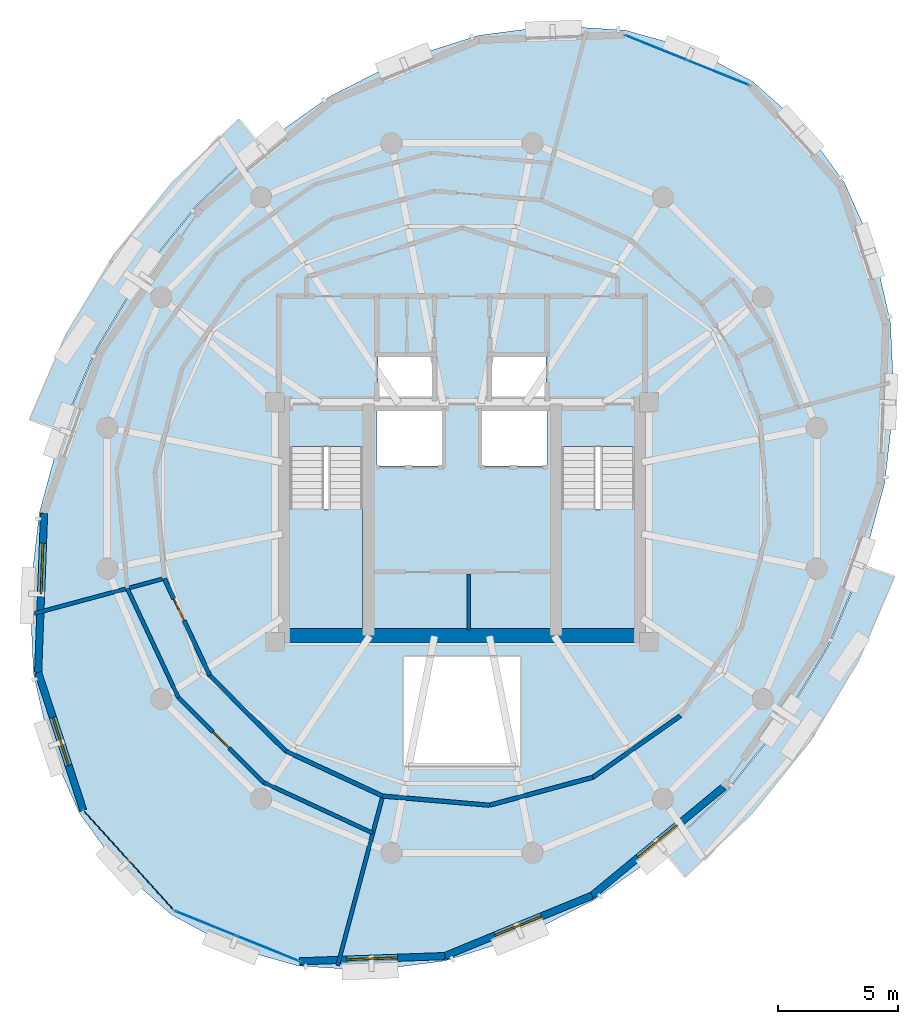
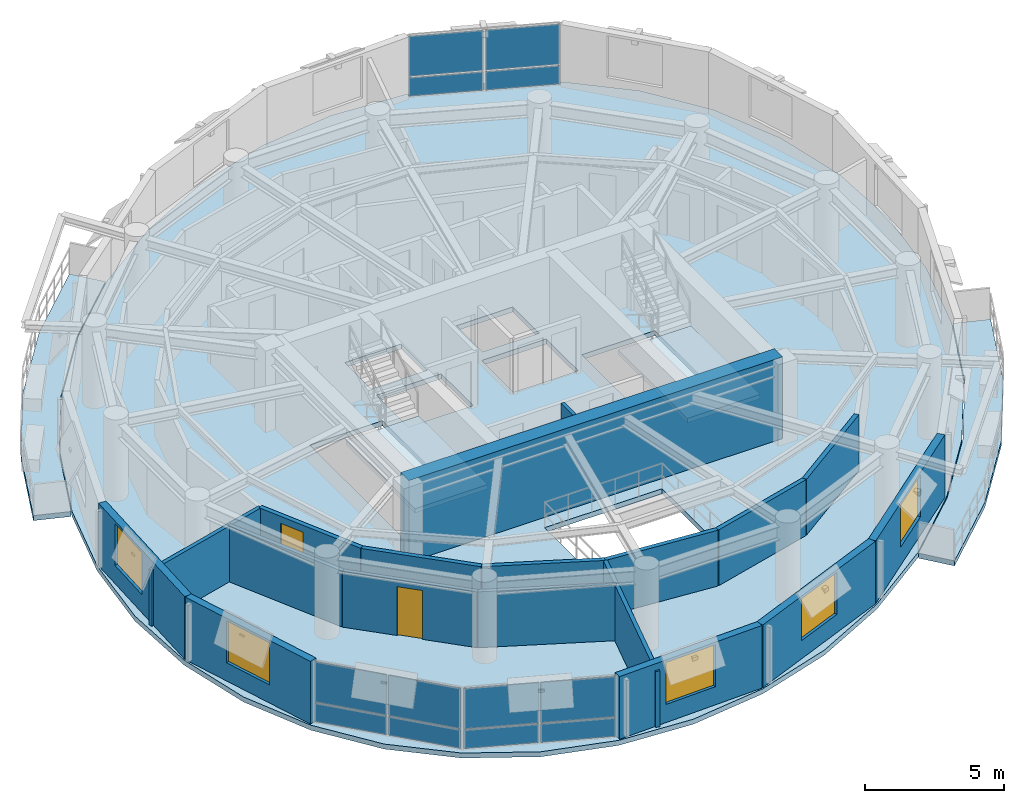
# One storey, part 6 of 11: 18 walls, 12 plates, 5 slabs, 5 windows, 2 doors, 7 openings, 5 elements without a shape of their own.
"""IFC4 building model written with IfcOpenShell, lengths in metres."""

from ifc_helpers import new_model, si_unit, direction, frame, frame_2d, origin, origin_2d, place, context, subcontext, project, spatial, polyline, rectangle, outline, extrude, material, layer, layer_set, type_object, element, fill, aggregate, save


model = new_model("IFC4")

# Units and contexts
model_context = context("Model", 3, precision=1e-05, world=origin(), true_north=direction((0.0, 1.0)))
body_context = subcontext(model_context, "Body", "Model", "MODEL_VIEW")
ifc_project = project(units=[si_unit("LENGTHUNIT", "METRE"), si_unit("AREAUNIT", "SQUARE_METRE"), si_unit("VOLUMEUNIT", "CUBIC_METRE"), si_unit("PLANEANGLEUNIT", "RADIAN"), si_unit("MASSUNIT", "GRAM", prefix="KILO"), si_unit("THERMODYNAMICTEMPERATUREUNIT", "KELVIN"), si_unit("POWERUNIT", "WATT")], contexts=[model_context])

# Site, building, storey
site_placement = place(None, origin())
site = spatial("IfcSite", under=ifc_project, at=site_placement, CompositionType="ELEMENT")
building_placement = place(site_placement, origin())
building = spatial("IfcBuilding", under=site, at=building_placement, Name="Ocrelia Relay Tower", CompositionType="ELEMENT")
storey_placement = place(building_placement, frame((0.0, 0.0, 259.199951171875)))
storey = spatial("IfcBuildingStorey", under=building, at=storey_placement, Name="L64", CompositionType="ELEMENT", Elevation=259.199951171875)

# Curtain wall, plates
ifc_material_1 = material(Name="Aluminium and solar-control low-E glass", Category="aluminium")
ifc_layer_1 = layer(ifc_material_1, 0.179931640625, Name="Aluminium and solar-control low-E glass")
ifc_layer_set_1 = layer_set([ifc_layer_1], Name="Aluminium and solar-control low-E glass")
curtain_wall_type = type_object("IfcCurtainWallType", Name="CW-SYS-Z4-EXEC", PredefinedType="NOTDEFINED", material=ifc_layer_set_1)
curtain_wall_1_placement = place(storey_placement, origin())
curtain_wall_1 = element("IfcCurtainWall", 1, at=curtain_wall_1_placement, inside=storey, type_object=curtain_wall_type, Name="L64 Elliptical Tower Curtain Wall Bay 01", PredefinedType="NOTDEFINED")
ifc_material_2 = material(Name="Clear double-glazed low-E glass", Category="glass")
ifc_layer_2 = layer(ifc_material_2, 0.031982421875, Name="Clear double-glazed low-E glass")
ifc_layer_set_2 = layer_set([ifc_layer_2], Name="Clear double-glazed low-E glass")
plate_type = type_object("IfcPlateType", Name="CW-SYS-Z4-EXEC-PNL", PredefinedType="CURTAIN_PANEL", material=ifc_layer_set_2)
plate_1_placement = place(storey_placement, frame((44.68994140625, 43.75732421875, 0.06005859375), z_axis=(0.0, 0.0, 1.0), x_axis=(-0.927528967544, 0.373751273397, 0.0)))
plate_1 = element("IfcPlate", 2, at=plate_1_placement, type_object=plate_type, Name="CW-Z4 panel 1.1", PredefinedType="CURTAIN_PANEL", context=body_context, shape_type="SweptSolid", body=[
    extrude(rectangle(XDim=2.7275390625, YDim=0.031982421875, at=origin_2d()), origin(), (0.0, 0.0, 1.0), 0.81005859375),
])
plate_2_placement = place(storey_placement, frame((44.68994140625, 43.75732421875, 0.929931640625), z_axis=(0.0, 0.0, 1.0), x_axis=(-0.927528967544, 0.373751273397, 0.0)))
plate_2 = element("IfcPlate", 3, at=plate_2_placement, type_object=plate_type, Name="CW-Z4 panel 1.2", PredefinedType="CURTAIN_PANEL", context=body_context, shape_type="SweptSolid", body=[
    extrude(rectangle(XDim=2.7275390625, YDim=0.031982421875, at=origin_2d()), origin(), (0.0, 0.0, 1.0), 1.77001953125),
])
plate_3_placement = place(storey_placement, frame((42.099609375, 44.801025390625, 0.06005859375), z_axis=(0.0, 0.0, 1.0), x_axis=(-0.927528967544, 0.373751273397, 0.0)))
plate_3 = element("IfcPlate", 4, at=plate_3_placement, type_object=plate_type, Name="CW-Z4 panel 2.1", PredefinedType="CURTAIN_PANEL", context=body_context, shape_type="SweptSolid", body=[
    extrude(rectangle(XDim=2.7275390625, YDim=0.031982421875, at=origin_2d()), origin(), (0.0, 0.0, 1.0), 0.81005859375),
])
plate_4_placement = place(storey_placement, frame((42.099609375, 44.801025390625, 0.929931640625), z_axis=(0.0, 0.0, 1.0), x_axis=(-0.927528967544, 0.373751273397, 0.0)))
plate_4 = element("IfcPlate", 5, at=plate_4_placement, type_object=plate_type, Name="CW-Z4 panel 2.2", PredefinedType="CURTAIN_PANEL", context=body_context, shape_type="SweptSolid", body=[
    extrude(rectangle(XDim=2.7275390625, YDim=0.031982421875, at=origin_2d()), origin(), (0.0, 0.0, 1.0), 1.77001953125),
])
aggregate(curtain_wall_1, [plate_1, plate_2, plate_3, plate_4])

curtain_wall_2_placement = place(storey_placement, origin())
curtain_wall_2 = element("IfcCurtainWall", 6, at=curtain_wall_2_placement, inside=storey, type_object=curtain_wall_type, Name="L64 Elliptical Tower Curtain Wall Bay 09", PredefinedType="NOTDEFINED")
plate_5_placement = place(storey_placement, frame((19.152099609375, 11.90673828125, 0.06005859375), z_axis=(0.0, 0.0, 1.0), x_axis=(0.671046778202, -0.741415012975, 0.0)))
plate_5 = element("IfcPlate", 7, at=plate_5_placement, type_object=plate_type, Name="CW-Z4 panel 1.1", PredefinedType="CURTAIN_PANEL", context=body_context, shape_type="SweptSolid", body=[
    extrude(rectangle(XDim=2.7275390625, YDim=0.031982421875, at=origin_2d()), origin(), (0.0, 0.0, 1.0), 0.81005859375),
])
plate_6_placement = place(storey_placement, frame((19.152099609375, 11.90673828125, 0.929931640625), z_axis=(0.0, 0.0, 1.0), x_axis=(0.671046778202, -0.741415012975, 0.0)))
plate_6 = element("IfcPlate", 8, at=plate_6_placement, type_object=plate_type, Name="CW-Z4 panel 1.2", PredefinedType="CURTAIN_PANEL", context=body_context, shape_type="SweptSolid", body=[
    extrude(rectangle(XDim=2.7275390625, YDim=0.031982421875, at=origin_2d()), origin(), (0.0, 0.0, 1.0), 1.77001953125),
])
plate_7_placement = place(storey_placement, frame((21.026123046875, 9.836181640625, 0.06005859375), z_axis=(0.0, 0.0, 1.0), x_axis=(0.671046778202, -0.741415012975, 0.0)))
plate_7 = element("IfcPlate", 9, at=plate_7_placement, type_object=plate_type, Name="CW-Z4 panel 2.1", PredefinedType="CURTAIN_PANEL", context=body_context, shape_type="SweptSolid", body=[
    extrude(rectangle(XDim=2.7275390625, YDim=0.031982421875, at=origin_2d()), origin(), (0.0, 0.0, 1.0), 0.81005859375),
])
plate_8_placement = place(storey_placement, frame((21.026123046875, 9.836181640625, 0.929931640625), z_axis=(0.0, 0.0, 1.0), x_axis=(0.671046778202, -0.741415012975, 0.0)))
plate_8 = element("IfcPlate", 10, at=plate_8_placement, type_object=plate_type, Name="CW-Z4 panel 2.2", PredefinedType="CURTAIN_PANEL", context=body_context, shape_type="SweptSolid", body=[
    extrude(rectangle(XDim=2.7275390625, YDim=0.031982421875, at=origin_2d()), origin(), (0.0, 0.0, 1.0), 1.77001953125),
])
aggregate(curtain_wall_2, [plate_5, plate_6, plate_7, plate_8])

curtain_wall_3_placement = place(storey_placement, origin())
curtain_wall_3 = element("IfcCurtainWall", 11, at=curtain_wall_3_placement, inside=storey, type_object=curtain_wall_type, Name="L64 Elliptical Tower Curtain Wall Bay 10", PredefinedType="NOTDEFINED")
plate_9_placement = place(storey_placement, frame((23.31005859375, 8.24267578125, 0.06005859375), z_axis=(0.0, 0.0, 1.0), x_axis=(0.927528967544, -0.373751273397, 0.0)))
plate_9 = element("IfcPlate", 12, at=plate_9_placement, type_object=plate_type, Name="CW-Z4 panel 1.1", PredefinedType="CURTAIN_PANEL", context=body_context, shape_type="SweptSolid", body=[
    extrude(rectangle(XDim=2.7275390625, YDim=0.031982421875, at=origin_2d()), origin(), (0.0, 0.0, 1.0), 0.81005859375),
])
plate_10_placement = place(storey_placement, frame((23.31005859375, 8.24267578125, 0.929931640625), z_axis=(0.0, 0.0, 1.0), x_axis=(0.927528967544, -0.373751273397, 0.0)))
plate_10 = element("IfcPlate", 13, at=plate_10_placement, type_object=plate_type, Name="CW-Z4 panel 1.2", PredefinedType="CURTAIN_PANEL", context=body_context, shape_type="SweptSolid", body=[
    extrude(rectangle(XDim=2.7275390625, YDim=0.031982421875, at=origin_2d()), origin(), (0.0, 0.0, 1.0), 1.77001953125),
])
plate_11_placement = place(storey_placement, frame((25.900390625, 7.198974609375, 0.06005859375), z_axis=(0.0, 0.0, 1.0), x_axis=(0.927528967544, -0.373751273397, 0.0)))
plate_11 = element("IfcPlate", 14, at=plate_11_placement, type_object=plate_type, Name="CW-Z4 panel 2.1", PredefinedType="CURTAIN_PANEL", context=body_context, shape_type="SweptSolid", body=[
    extrude(rectangle(XDim=2.7275390625, YDim=0.031982421875, at=origin_2d()), origin(), (0.0, 0.0, 1.0), 0.81005859375),
])
plate_12_placement = place(storey_placement, frame((25.900390625, 7.198974609375, 0.929931640625), z_axis=(0.0, 0.0, 1.0), x_axis=(0.927528967544, -0.373751273397, 0.0)))
plate_12 = element("IfcPlate", 15, at=plate_12_placement, type_object=plate_type, Name="CW-Z4 panel 2.2", PredefinedType="CURTAIN_PANEL", context=body_context, shape_type="SweptSolid", body=[
    extrude(rectangle(XDim=2.7275390625, YDim=0.031982421875, at=origin_2d()), origin(), (0.0, 0.0, 1.0), 1.77001953125),
])
aggregate(curtain_wall_3, [plate_9, plate_10, plate_11, plate_12])

# Slabs
ifc_material_3 = material(Name="Precast concrete C40/50", Category="concrete")
ifc_layer_3 = layer(ifc_material_3, 0.219970703125, Name="Precast concrete C40/50")
ifc_layer_set_3 = layer_set([ifc_layer_3], Name="Precast concrete C40/50")
slab_type_1 = type_object("IfcSlabType", Name="SL-BALC-220", PredefinedType="FLOOR", material=ifc_layer_set_3)
slab_1_placement = place(storey_placement, frame((0.0, 0.0, -0.219970703125)))
element("IfcSlab", 16, at=slab_1_placement, inside=storey, type_object=slab_type_1, Name="L64 Planted Loggia Balcony B1", PredefinedType="FLOOR", context=body_context, shape_type="SweptSolid", body=[
    extrude(outline(polyline([(25.567138671875, 40.7333984375), (24.242919921875, 39.478759765625), (22.918701171875, 38.22412109375), (20.606689453125, 35.34326171875), (18.70166015625, 32.1787109375), (17.981201171875, 30.502685546875), (17.2607421875, 28.82666015625), (15.945068359375, 29.285400390625), (16.70361328125, 31.050048828125), (17.4619140625, 32.814697265625), (19.464111328125, 36.140380859375), (21.89404296875, 39.167724609375), (23.2880859375, 40.489013671875), (24.682373046875, 41.81005859375), (25.567138671875, 40.7333984375)])), origin(), (0.0, 0.0, 1.0), 0.219970703125),
])
slab_2_placement = place(storey_placement, frame((0.0, 0.0, -0.219970703125)))
element("IfcSlab", 17, at=slab_2_placement, inside=storey, type_object=slab_type_1, Name="L64 Planted Loggia Balcony B2", PredefinedType="FLOOR", context=body_context, shape_type="SweptSolid", body=[
    extrude(outline(polyline([(42.432861328125, 11.2666015625), (43.757080078125, 12.521240234375), (45.081298828125, 13.77587890625), (47.393310546875, 16.65673828125), (49.29833984375, 19.8212890625), (50.018798828125, 21.497314453125), (50.7392578125, 23.17333984375), (52.054931640625, 22.714599609375), (51.29638671875, 20.949951171875), (50.5380859375, 19.185302734375), (48.535888671875, 15.859619140625), (46.10595703125, 12.832275390625), (44.7119140625, 11.510986328125), (43.317626953125, 10.18994140625), (42.432861328125, 11.2666015625)])), origin(), (0.0, 0.0, 1.0), 0.219970703125),
])
ifc_material_4 = material(Name="Concrete C50/60", Category="concrete")
ifc_layer_4 = layer(ifc_material_4, 0.219970703125, Name="Concrete C50/60")
ifc_layer_set_4 = layer_set([ifc_layer_4], Name="Concrete C50/60")
slab_type_2 = type_object("IfcSlabType", Name="SL-FLR-220", PredefinedType="FLOOR", material=ifc_layer_set_4)
slab_3_placement = place(storey_placement, frame((0.0, 0.0, -0.219970703125)))
element("IfcSlab", 18, at=slab_3_placement, inside=storey, type_object=slab_type_2, Name="L64 Elliptical Tower Floor Slab", PredefinedType="FLOOR", context=body_context, shape_type="SweptSolid", body=[
    extrude(outline(polyline([(46.12939453125, 43.38720703125), (43.623779296875, 44.742431640625), (40.82568359375, 45.5283203125), (37.8203125, 45.720703125), (34.698486328125, 45.31396484375), (31.555908203125, 44.3203125), (28.4873046875, 42.77001953125), (25.586181640625, 40.710205078125), (22.94091796875, 38.20361328125), (20.631591796875, 35.325927734375), (18.728515625, 32.1650390625), (17.289306640625, 28.81689453125), (16.35791015625, 25.3828125), (15.96240234375, 21.9677734375), (16.115234375, 18.67529296875), (16.811279296875, 15.605224609375), (18.02978515625, 12.85107421875), (19.7333984375, 10.496337890625), (21.87060546875, 8.61279296875), (24.376220703125, 7.257568359375), (27.17431640625, 6.4716796875), (30.1796875, 6.279296875), (33.301513671875, 6.68603515625), (36.444091796875, 7.6796875), (39.5126953125, 9.22998046875), (42.413818359375, 11.289794921875), (45.05908203125, 13.79638671875), (47.368408203125, 16.674072265625), (49.271484375, 19.8349609375), (50.710693359375, 23.18310546875), (51.64208984375, 26.6171875), (52.03759765625, 30.0322265625), (51.884765625, 33.32470703125), (51.188720703125, 36.394775390625), (49.97021484375, 39.14892578125), (48.2666015625, 41.503662109375), (46.12939453125, 43.38720703125)]), holes=[polyline([(26.81005859375, 28.14990234375), (26.81005859375, 20.550048828125), (29.85009765625, 20.550048828125), (29.85009765625, 28.14990234375), (26.81005859375, 28.14990234375)]), polyline([(38.159912109375, 28.14990234375), (38.159912109375, 20.550048828125), (41.199951171875, 20.550048828125), (41.199951171875, 28.14990234375), (38.159912109375, 28.14990234375)]), polyline([(30.4599609375, 27.35009765625), (33.159912109375, 27.35009765625), (33.159912109375, 29.64990234375), (30.4599609375, 29.64990234375), (30.4599609375, 27.35009765625)]), polyline([(34.840087890625, 27.35009765625), (37.5400390625, 27.35009765625), (37.5400390625, 29.64990234375), (34.840087890625, 29.64990234375), (34.840087890625, 27.35009765625)]), polyline([(30.5, 30.10009765625), (32.85009765625, 30.10009765625), (32.85009765625, 32.0), (30.5, 32.0), (30.5, 30.10009765625)]), polyline([(35.14990234375, 30.10009765625), (37.5, 30.10009765625), (37.5, 32.0), (35.14990234375, 32.0), (35.14990234375, 30.10009765625)]), polyline([(31.550048828125, 14.800048828125), (36.449951171875, 14.800048828125), (36.449951171875, 19.39990234375), (31.550048828125, 19.39990234375), (31.550048828125, 14.800048828125)])]), origin(), (0.0, 0.0, 1.0), 0.219970703125),
])

# Stair, slab
stair_type = type_object("IfcStairType", Name="ST-DL-1420-R180", PredefinedType="HALF_TURN_STAIR", material=ifc_material_4)
stair_1_placement = place(storey_placement, origin())
stair_1 = element("IfcStair", 19, at=stair_1_placement, inside=storey, type_object=stair_type, Name="L64 West Core Exit Stair ST1", PredefinedType="HALF_TURN_STAIR")
ifc_layer_5 = layer(ifc_material_4, 0.199951171875, Name="Concrete C50/60")
ifc_layer_set_5 = layer_set([ifc_layer_5], Name="Concrete C50/60")
slab_type_3 = type_object("IfcSlabType", Name="SL-LANDING-200", PredefinedType="LANDING", material=ifc_layer_set_5)
slab_4_placement = place(storey_placement, frame((0.0, 0.0, 1.60009765625)))
slab_4 = element("IfcSlab", 20, at=slab_4_placement, type_object=slab_type_3, Name="ST1 landing 1", PredefinedType="LANDING", context=body_context, shape_type="SweptSolid", body=[
    extrude(outline(polyline([(26.81005859375, 25.5400390625), (26.81005859375, 20.550048828125), (29.85009765625, 20.550048828125), (29.85009765625, 25.5400390625), (26.81005859375, 25.5400390625)])), origin(), (0.0, 0.0, 1.0), 0.199951171875),
])
aggregate(stair_1, [slab_4])

stair_2_placement = place(storey_placement, origin())
stair_2 = element("IfcStair", 21, at=stair_2_placement, inside=storey, type_object=stair_type, Name="L64 East Core Exit Stair ST2", PredefinedType="HALF_TURN_STAIR")
slab_5_placement = place(storey_placement, frame((0.0, 0.0, 1.60009765625)))
slab_5 = element("IfcSlab", 22, at=slab_5_placement, type_object=slab_type_3, Name="ST2 landing 1", PredefinedType="LANDING", context=body_context, shape_type="SweptSolid", body=[
    extrude(outline(polyline([(38.159912109375, 25.5400390625), (38.159912109375, 20.550048828125), (41.199951171875, 20.550048828125), (41.199951171875, 25.5400390625), (38.159912109375, 25.5400390625)])), origin(), (0.0, 0.0, 1.0), 0.199951171875),
])
aggregate(stair_2, [slab_5])

# Wall
ifc_layer_6 = layer(ifc_material_4, 0.60009765625, Name="Concrete C50/60")
ifc_layer_set_6 = layer_set([ifc_layer_6], Name="Concrete C50/60")
wall_type_1 = type_object("IfcWallType", Name="CW-CORE-600B", PredefinedType="SHEAR", material=ifc_layer_set_6)
wall_1_placement = place(storey_placement, frame((26.221923828125, 20.261962890625, 0.0), z_axis=(0.0, 0.0, 1.0), x_axis=(1.0, 0.0, 0.0)))
element("IfcWall", 23, at=wall_1_placement, inside=storey, type_object=wall_type_1, Name="L64 Core Shear Wall S", PredefinedType="SHEAR", context=body_context, shape_type="SweptSolid", body=[
    extrude(rectangle(XDim=15.566162109375, YDim=0.60009765625, at=frame_2d((7.783203125, 0.0))), origin(), (0.0, 0.0, 1.0), 3.60009765625),
])

# Wall, opening, door
ifc_material_5 = material(Name="Gypsum Fireboard Partition EI60", Category="gypsum")
ifc_layer_7 = layer(ifc_material_5, 0.179931640625, Name="Gypsum Fireboard Partition EI60")
ifc_layer_set_7 = layer_set([ifc_layer_7], Name="Gypsum Fireboard Partition EI60")
wall_type_2 = type_object("IfcWallType", Name="W-CORR-EI60-180", PredefinedType="PARTITIONING", material=ifc_layer_set_7)
wall_2_placement = place(storey_placement, frame((21.574462890625, 22.647216796875, 0.0), z_axis=(0.0, 0.0, 1.0), x_axis=(0.424191758999, -0.905572388933, 0.0)))
wall_2 = element("IfcWall", 24, at=wall_2_placement, inside=storey, type_object=wall_type_2, Name="L64 Diplomatic Sitting Salon Corridor Partition 1", PredefinedType="PARTITIONING", context=body_context, shape_type="SweptSolid", body=[
    extrude(rectangle(XDim=4.4697265625, YDim=0.179931640625, at=frame_2d((2.23486328125, 0.0))), origin(), (0.0, 0.0, 1.0), 2.4599609375),
])
opening_1_placement = place(wall_2_placement, frame((0.9423828125, 0.0, 0.0)))
opening_1 = element("IfcOpeningElement", 25, at=opening_1_placement, cuts=wall_2, Name="Opening D-RM100", PredefinedType="OPENING", context=body_context, shape_type="SweptSolid", body=[
    extrude(rectangle(XDim=1.0, YDim=2.14990234375, at=frame_2d((0.5, 1.074951171875))), frame((0.0, 0.10009765625, 0.0), z_axis=(0.0, -1.0, 0.0), x_axis=(1.0, 0.0, 0.0)), (0.0, 0.0, 1.0), 0.199951171875),
])
ifc_material_6 = material(Name="Acoustic oak veneer fire door", Category="wood")
door_type_1 = type_object("IfcDoorType", Name="DR-ROOM-FD60-1000", OperationType="NOTDEFINED", PredefinedType="DOOR", material=ifc_material_6)
door_1_placement = place(opening_1_placement, origin())
door_1 = element("IfcDoor", 26, at=door_1_placement, inside=storey, type_object=door_type_1, Name="L64 Diplomatic Sitting Salon Entrance Door", OperationType="SINGLE_SWING_RIGHT", OverallHeight=2.14990234375, OverallWidth=1.0, PredefinedType="DOOR", context=body_context, shape_type="SweptSolid", body=[
    extrude(rectangle(XDim=1.0, YDim=2.14990234375, at=frame_2d((0.5, 1.074951171875))), frame((0.0, 0.02490234375, 0.0), z_axis=(0.0, -1.0, 0.0), x_axis=(1.0, 0.0, 0.0)), (0.0, 0.0, 1.0), 0.050048828125),
])
fill(opening_1, door_1)

# Walls
for number, where, z_axis, x_axis, name in (
    (27, (23.470458984375, 18.599609375, 0.0), (0.0, 0.0, 1.0), (0.708334702273, -0.70587672405, 0.0), "L64 Diplomatic Sitting Salon Corridor Partition 2"),
    (28, (26.636474609375, 15.444580078125, 0.0), (0.0, 0.0, 1.0), (0.907049199166, -0.421024643332, 0.0), "L64 Diplomatic Sitting Salon Corridor Partition 3"),
    (29, (30.690673828125, 13.562744140625, 0.0), (0.0, 0.0, 1.0), (0.996344391256, -0.085427478095, 0.0), "L64 Fellows Quiet Study Corridor Partition 1"),
    (30, (35.14404296875, 13.180908203125, 0.0), (0.0, 0.0, 1.0), (0.965477450323, 0.260486646333, 0.0), "L64 Fellows Quiet Study Corridor Partition 2"),
):
    element("IfcWall", number, at=place(storey_placement, frame(where, z_axis=z_axis, x_axis=x_axis)), inside=storey, type_object=wall_type_2, Name=name, PredefinedType="PARTITIONING", context=body_context, shape_type="SweptSolid", body=[
        extrude(rectangle(XDim=4.4697265625, YDim=0.179931640625, at=frame_2d((2.23486328125, 0.0))), origin(), (0.0, 0.0, 1.0), 2.4599609375),
    ])
wall_3_placement = place(storey_placement, frame((39.45947265625, 14.34521484375, 0.0), z_axis=(0.0, 0.0, 1.0), x_axis=(0.818142386299, 0.57501568304, 0.0)))
element("IfcWall", 31, at=wall_3_placement, inside=storey, type_object=wall_type_2, Name="L64 Fellows Quiet Study Corridor Partition 3", PredefinedType="PARTITIONING", context=body_context, shape_type="SweptSolid", body=[
    extrude(rectangle(XDim=4.469482421875, YDim=0.179931640625, at=frame_2d((2.23486328125, 0.0))), origin(), (0.0, 0.0, 1.0), 2.4599609375),
])

# Wall, opening, window
ifc_material_7 = material(Name="Precast concrete C40/50 with oxide terracotta", Category="masonry")
ifc_layer_8 = layer(ifc_material_7, 0.300048828125, Name="Precast concrete C40/50 with oxide terracotta")
ifc_layer_set_8 = layer_set([ifc_layer_8], Name="Precast concrete C40/50 with oxide terracotta")
wall_type_3 = type_object("IfcWallType", Name="W-EXT-TERR-300", PredefinedType="SOLIDWALL", material=ifc_layer_set_8)
wall_4_placement = place(storey_placement, frame((16.55712890625, 25.36572265625, 0.0), z_axis=(0.0, 0.0, 1.0), x_axis=(-0.03744934718, -0.999298527166, 0.0)))
wall_4 = element("IfcWall", 32, at=wall_4_placement, inside=storey, type_object=wall_type_3, Name="L64 Oxide Terracotta Facade Wall 07", PredefinedType="SOLIDWALL", context=body_context, shape_type="SweptSolid", body=[
    extrude(rectangle(XDim=6.64306640625, YDim=0.300048828125, at=frame_2d((3.321533203125, 0.0))), origin(), (0.0, 0.0, 1.0), 2.760009765625),
])
opening_2_placement = place(wall_4_placement, frame((1.2509765625, 0.0, 0.800048828125)))
opening_2 = element("IfcOpeningElement", 33, at=opening_2_placement, cuts=wall_4, Name="Opening W-07", PredefinedType="OPENING", context=body_context, shape_type="SweptSolid", body=[
    extrude(rectangle(XDim=2.10009765625, YDim=1.85009765625, at=frame_2d((1.050048828125, 0.925048828125))), frame((0.0, 0.16015625, 0.0), z_axis=(0.0, -1.0, 0.0), x_axis=(1.0, 0.0, 0.0)), (0.0, 0.0, 1.0), 0.320068359375),
])
window_type = type_object("IfcWindowType", Name="WIN-Z4-2100x2200", PartitioningType="DOUBLE_PANEL_VERTICAL", PredefinedType="WINDOW", material=ifc_material_2)
window_1_placement = place(opening_2_placement, origin())
window_1 = element("IfcWindow", 34, at=window_1_placement, inside=storey, type_object=window_type, Name="L64 Facade Module Window 07", OverallHeight=1.85009765625, OverallWidth=2.10009765625, PartitioningType="SINGLE_PANEL", PredefinedType="WINDOW", context=body_context, shape_type="SweptSolid", body=[
    extrude(rectangle(XDim=2.10009765625, YDim=1.85009765625, at=frame_2d((1.050048828125, 0.925048828125))), frame((0.0, 0.030029296875, 0.0), z_axis=(0.0, -1.0, 0.0), x_axis=(1.0, 0.0, 0.0)), (0.0, 0.0, 1.0), 0.06005859375),
])
fill(opening_2, window_1)

wall_5_placement = place(storey_placement, frame((16.308349609375, 18.727294921875, 0.0), z_axis=(0.0, 0.0, 1.0), x_axis=(0.310966962927, -0.950420721559, 0.0)))
wall_5 = element("IfcWall", 35, at=wall_5_placement, inside=storey, type_object=wall_type_3, Name="L64 Oxide Terracotta Facade Wall 08", PredefinedType="SOLIDWALL", context=body_context, shape_type="SweptSolid", body=[
    extrude(rectangle(XDim=6.061767578125, YDim=0.300048828125, at=frame_2d((3.03076171875, 0.0))), origin(), (0.0, 0.0, 1.0), 2.760009765625),
])
opening_3_placement = place(wall_5_placement, frame((1.98095703125, 0.0, 0.800048828125)))
opening_3 = element("IfcOpeningElement", 36, at=opening_3_placement, cuts=wall_5, Name="Opening W-07", PredefinedType="OPENING", context=body_context, shape_type="SweptSolid", body=[
    extrude(rectangle(XDim=2.10009765625, YDim=1.85009765625, at=frame_2d((1.050048828125, 0.925048828125))), frame((0.0, 0.16015625, 0.0), z_axis=(0.0, -1.0, 0.0), x_axis=(1.0, 0.0, 0.0)), (0.0, 0.0, 1.0), 0.320068359375),
])
window_2_placement = place(opening_3_placement, origin())
window_2 = element("IfcWindow", 37, at=window_2_placement, inside=storey, type_object=window_type, Name="L64 Facade Module Window 08", OverallHeight=1.85009765625, OverallWidth=2.10009765625, PartitioningType="SINGLE_PANEL", PredefinedType="WINDOW", context=body_context, shape_type="SweptSolid", body=[
    extrude(rectangle(XDim=2.10009765625, YDim=1.85009765625, at=frame_2d((1.050048828125, 0.925048828125))), frame((0.0, 0.030029296875, 0.0), z_axis=(0.0, -1.0, 0.0), x_axis=(1.0, 0.0, 0.0)), (0.0, 0.0, 1.0), 0.06005859375),
])
fill(opening_3, window_2)

wall_6_placement = place(storey_placement, frame((27.2255859375, 6.6650390625, 0.0), z_axis=(0.0, 0.0, 1.0), x_axis=(0.999339976512, 0.036326455179, 0.0)))
wall_6 = element("IfcWall", 38, at=wall_6_placement, inside=storey, type_object=wall_type_3, Name="L64 Oxide Terracotta Facade Wall 11", PredefinedType="SOLIDWALL", context=body_context, shape_type="SweptSolid", body=[
    extrude(rectangle(XDim=6.06201171875, YDim=0.300048828125, at=frame_2d((3.031005859375, 0.0))), origin(), (0.0, 0.0, 1.0), 2.760009765625),
])
opening_4_placement = place(wall_6_placement, frame((1.98095703125, 0.0, 0.800048828125)))
opening_4 = element("IfcOpeningElement", 39, at=opening_4_placement, cuts=wall_6, Name="Opening W-07", PredefinedType="OPENING", context=body_context, shape_type="SweptSolid", body=[
    extrude(rectangle(XDim=2.10009765625, YDim=1.85009765625, at=frame_2d((1.050048828125, 0.925048828125))), frame((0.0, 0.16015625, 0.0), z_axis=(0.0, -1.0, 0.0), x_axis=(1.0, 0.0, 0.0)), (0.0, 0.0, 1.0), 0.320068359375),
])
window_3_placement = place(opening_4_placement, origin())
window_3 = element("IfcWindow", 40, at=window_3_placement, inside=storey, type_object=window_type, Name="L64 Facade Module Window 11", OverallHeight=1.85009765625, OverallWidth=2.10009765625, PartitioningType="SINGLE_PANEL", PredefinedType="WINDOW", context=body_context, shape_type="SweptSolid", body=[
    extrude(rectangle(XDim=2.10009765625, YDim=1.85009765625, at=frame_2d((1.050048828125, 0.925048828125))), frame((0.0, 0.030029296875, 0.0), z_axis=(0.0, -1.0, 0.0), x_axis=(1.0, 0.0, 0.0)), (0.0, 0.0, 1.0), 0.06005859375),
])
fill(opening_4, window_3)

wall_7_placement = place(storey_placement, frame((33.28369140625, 6.88525390625, 0.0), z_axis=(0.0, 0.0, 1.0), x_axis=(0.924909306037, 0.380187816226, 0.0)))
wall_7 = element("IfcWall", 41, at=wall_7_placement, inside=storey, type_object=wall_type_3, Name="L64 Oxide Terracotta Facade Wall 12", PredefinedType="SOLIDWALL", context=body_context, shape_type="SweptSolid", body=[
    extrude(rectangle(XDim=6.64306640625, YDim=0.300048828125, at=frame_2d((3.321533203125, 0.0))), origin(), (0.0, 0.0, 1.0), 2.760009765625),
])
opening_5_placement = place(wall_7_placement, frame((2.27197265625, 0.0, 0.800048828125)))
opening_5 = element("IfcOpeningElement", 42, at=opening_5_placement, cuts=wall_7, Name="Opening W-07", PredefinedType="OPENING", context=body_context, shape_type="SweptSolid", body=[
    extrude(rectangle(XDim=2.10009765625, YDim=1.85009765625, at=frame_2d((1.050048828125, 0.925048828125))), frame((0.0, 0.16015625, 0.0), z_axis=(0.0, -1.0, 0.0), x_axis=(1.0, 0.0, 0.0)), (0.0, 0.0, 1.0), 0.320068359375),
])
window_4_placement = place(opening_5_placement, origin())
window_4 = element("IfcWindow", 43, at=window_4_placement, inside=storey, type_object=window_type, Name="L64 Facade Module Window 12", OverallHeight=1.85009765625, OverallWidth=2.10009765625, PartitioningType="SINGLE_PANEL", PredefinedType="WINDOW", context=body_context, shape_type="SweptSolid", body=[
    extrude(rectangle(XDim=2.10009765625, YDim=1.85009765625, at=frame_2d((1.050048828125, 0.925048828125))), frame((0.0, 0.030029296875, 0.0), z_axis=(0.0, -1.0, 0.0), x_axis=(1.0, 0.0, 0.0)), (0.0, 0.0, 1.0), 0.06005859375),
])
fill(opening_5, window_4)

wall_8_placement = place(storey_placement, frame((39.427978515625, 9.410888671875, 0.0), z_axis=(0.0, 0.0, 1.0), x_axis=(0.771526956165, 0.636196633055, 0.0)))
wall_8 = element("IfcWall", 44, at=wall_8_placement, inside=storey, type_object=wall_type_3, Name="L64 Oxide Terracotta Facade Wall 13", PredefinedType="SOLIDWALL", context=body_context, shape_type="SweptSolid", body=[
    extrude(rectangle(XDim=7.115234375, YDim=0.300048828125, at=frame_2d((3.5576171875, 0.0))), origin(), (0.0, 0.0, 1.0), 2.760009765625),
])
opening_6_placement = place(wall_8_placement, frame((2.508056640625, 0.0, 0.800048828125)))
opening_6 = element("IfcOpeningElement", 45, at=opening_6_placement, cuts=wall_8, Name="Opening W-07", PredefinedType="OPENING", context=body_context, shape_type="SweptSolid", body=[
    extrude(rectangle(XDim=2.10009765625, YDim=1.85009765625, at=frame_2d((1.050048828125, 0.925048828125))), frame((0.0, 0.16015625, 0.0), z_axis=(0.0, -1.0, 0.0), x_axis=(1.0, 0.0, 0.0)), (0.0, 0.0, 1.0), 0.320068359375),
])
window_5_placement = place(opening_6_placement, origin())
window_5 = element("IfcWindow", 46, at=window_5_placement, inside=storey, type_object=window_type, Name="L64 Facade Module Window 13", OverallHeight=1.85009765625, OverallWidth=2.10009765625, PartitioningType="SINGLE_PANEL", PredefinedType="WINDOW", context=body_context, shape_type="SweptSolid", body=[
    extrude(rectangle(XDim=2.10009765625, YDim=1.85009765625, at=frame_2d((1.050048828125, 0.925048828125))), frame((0.0, 0.030029296875, 0.0), z_axis=(0.0, -1.0, 0.0), x_axis=(1.0, 0.0, 0.0)), (0.0, 0.0, 1.0), 0.06005859375),
])
fill(opening_6, window_5)

# Walls
ifc_material_8 = material(Name="Acoustic Fireboard Partition EI60", Category="gypsum")
ifc_layer_9 = layer(ifc_material_8, 0.14990234375, Name="Acoustic Fireboard Partition EI60")
ifc_layer_set_9 = layer_set([ifc_layer_9], Name="Acoustic Fireboard Partition EI60")
wall_type_4 = type_object("IfcWallType", Name="W-PART-150", PredefinedType="PARTITIONING", material=ifc_layer_set_9)
wall_9_placement = place(storey_placement, frame((34.2900390625, 20.5, 0.0), z_axis=(0.0, 0.0, 1.0), x_axis=(0.0, 1.0, 0.0)))
element("IfcWall", 47, at=wall_9_placement, inside=storey, type_object=wall_type_4, Name="L64 Reclaimed Core Dividing Wall", PredefinedType="PARTITIONING", context=body_context, shape_type="SweptSolid", body=[
    extrude(rectangle(XDim=2.340087890625, YDim=0.14990234375, at=frame_2d((1.169921875, 0.0))), origin(), (0.0, 0.0, 1.0), 2.4599609375),
])
ifc_layer_10 = layer(ifc_material_8, 0.159912109375, Name="Acoustic Fireboard Partition EI60")
ifc_layer_set_10 = layer_set([ifc_layer_10], Name="Acoustic Fireboard Partition EI60")
wall_type_5 = type_object("IfcWallType", Name="W-PART-160", PredefinedType="PARTITIONING", material=ifc_layer_set_10)
wall_10_placement = place(storey_placement, frame((21.574462890625, 22.647216796875, 0.0), z_axis=(0.0, 0.0, 1.0), x_axis=(-0.965484802244, -0.260459395369, 0.0)))
element("IfcWall", 48, at=wall_10_placement, inside=storey, type_object=wall_type_5, Name="L64 Principal Reading Gallery Radial Partition", PredefinedType="PARTITIONING", context=body_context, shape_type="SweptSolid", body=[
    extrude(rectangle(XDim=5.621337890625, YDim=0.159912109375, at=frame_2d((2.810546875, 0.0))), origin(), (0.0, 0.0, 1.0), 2.4599609375),
])
wall_11_placement = place(storey_placement, frame((30.690673828125, 13.562744140625, 0.0), z_axis=(0.0, 0.0, 1.0), x_axis=(-0.257139371946, -0.966374328816, 0.0)))
element("IfcWall", 49, at=wall_11_placement, inside=storey, type_object=wall_type_5, Name="L64 Diplomatic Sitting Salon Radial Partition", PredefinedType="PARTITIONING", context=body_context, shape_type="SweptSolid", body=[
    extrude(rectangle(XDim=7.318359375, YDim=0.159912109375, at=frame_2d((3.6591796875, 0.0))), origin(), (0.0, 0.0, 1.0), 2.4599609375),
])
wall_12_placement = place(storey_placement, frame((20.029541015625, 22.23046875, 0.0), z_axis=(0.0, 0.0, 1.0), x_axis=(0.424214799162, -0.905561596012, 0.0)))
element("IfcWall", 50, at=wall_12_placement, inside=storey, type_object=wall_type_5, Name="L64 Perimeter Diplomatic Sitting Salon Mid-Ring Partition 1", PredefinedType="PARTITIONING", context=body_context, shape_type="SweptSolid", body=[
    extrude(rectangle(XDim=5.025390625, YDim=0.159912109375, at=frame_2d((2.5126953125, 0.0))), origin(), (0.0, 0.0, 1.0), 2.4599609375),
])

# Wall, opening, door
wall_13_placement = place(storey_placement, frame((22.161376953125, 17.6796875, 0.0), z_axis=(0.0, 0.0, 1.0), x_axis=(0.708320279071, -0.705891197181, 0.0)))
wall_13 = element("IfcWall", 51, at=wall_13_placement, inside=storey, type_object=wall_type_5, Name="L64 Perimeter Diplomatic Sitting Salon Mid-Ring Partition 2", PredefinedType="PARTITIONING", context=body_context, shape_type="SweptSolid", body=[
    extrude(rectangle(XDim=5.025390625, YDim=0.159912109375, at=frame_2d((2.5126953125, 0.0))), origin(), (0.0, 0.0, 1.0), 2.4599609375),
])
opening_7_placement = place(wall_13_placement, frame((2.03759765625, 0.0, 0.0)))
opening_7 = element("IfcOpeningElement", 52, at=opening_7_placement, cuts=wall_13, Name="Opening D-RM95", PredefinedType="OPENING", context=body_context, shape_type="SweptSolid", body=[
    extrude(rectangle(XDim=0.949951171875, YDim=2.14990234375, at=frame_2d((0.47509765625, 1.074951171875))), frame((0.0, 0.08984375, 0.0), z_axis=(0.0, -1.0, 0.0), x_axis=(1.0, 0.0, 0.0)), (0.0, 0.0, 1.0), 0.179931640625),
])
door_type_2 = type_object("IfcDoorType", Name="DR-ROOM-950", OperationType="NOTDEFINED", PredefinedType="DOOR", material=ifc_material_6)
door_2_placement = place(opening_7_placement, origin())
door_2 = element("IfcDoor", 53, at=door_2_placement, inside=storey, type_object=door_type_2, Name="L64 Perimeter Diplomatic Sitting Salon Connecting Door", OperationType="SINGLE_SWING_LEFT", OverallHeight=2.14990234375, OverallWidth=0.949951171875, PredefinedType="DOOR", context=body_context, shape_type="SweptSolid", body=[
    extrude(rectangle(XDim=0.949951171875, YDim=2.14990234375, at=frame_2d((0.47509765625, 1.074951171875))), frame((0.0, 0.02490234375, 0.0), z_axis=(0.0, -1.0, 0.0), x_axis=(1.0, 0.0, 0.0)), (0.0, 0.0, 1.0), 0.050048828125),
])
fill(opening_7, door_2)

# Wall
wall_14_placement = place(storey_placement, frame((25.720947265625, 14.13232421875, 0.0), z_axis=(0.0, 0.0, 1.0), x_axis=(0.907058664077, -0.421004251668, 0.0)))
element("IfcWall", 54, at=wall_14_placement, inside=storey, type_object=wall_type_5, Name="L64 Perimeter Diplomatic Sitting Salon Mid-Ring Partition 3", PredefinedType="PARTITIONING", context=body_context, shape_type="SweptSolid", body=[
    extrude(rectangle(XDim=5.025390625, YDim=0.159912109375, at=frame_2d((2.5126953125, 0.0))), origin(), (0.0, 0.0, 1.0), 2.4599609375),
])

save(model, "model.ifc")
